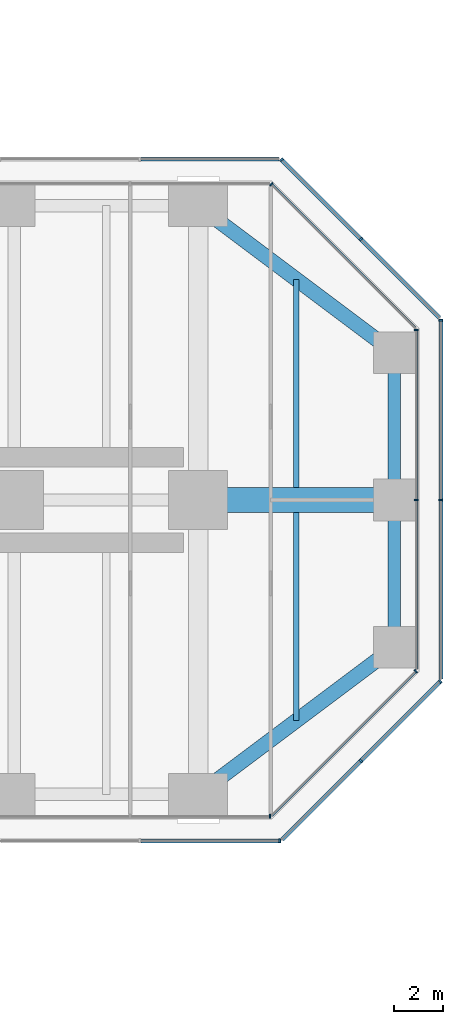
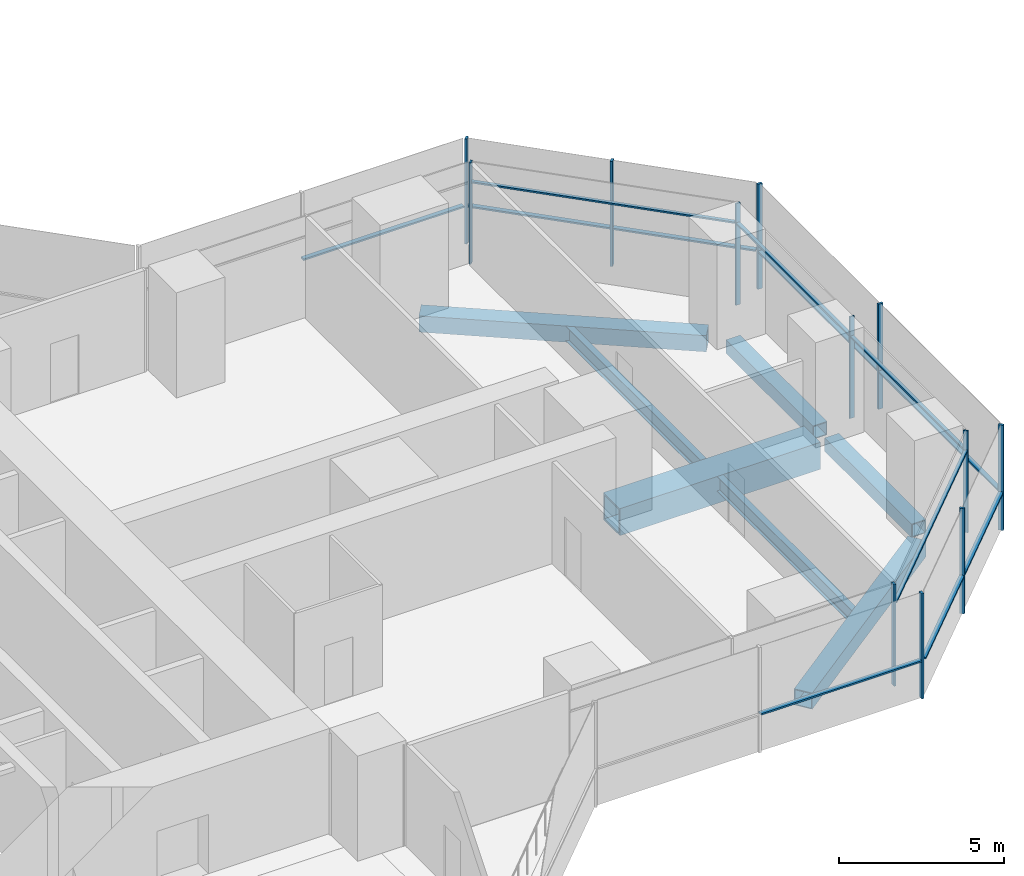
# One storey, part 12 of 22: 24 members, 7 beams, 9 elements without a shape of their own.
"""IFC4 building model written with IfcOpenShell, lengths in metres."""

from ifc_helpers import new_model, si_unit, direction, frame, origin, origin_2d, place, context, subcontext, project, spatial, rectangle, hollow_rectangle, i_section, extrude, material, material_profile, profile_set, type_object, element, aggregate, save


model = new_model("IFC4")

# Units and contexts
model_context = context("Model", 3, precision=1e-05, world=origin(), true_north=direction((0.0, 1.0)))
body_context = subcontext(model_context, "Body", "Model", "MODEL_VIEW")
ifc_project = project(units=[si_unit("LENGTHUNIT", "METRE"), si_unit("AREAUNIT", "SQUARE_METRE"), si_unit("VOLUMEUNIT", "CUBIC_METRE"), si_unit("PLANEANGLEUNIT", "RADIAN"), si_unit("MASSUNIT", "GRAM", prefix="KILO")], contexts=[model_context])

# Site, building, storey
site_placement = place(None, origin())
site = spatial("IfcSite", under=ifc_project, at=site_placement, CompositionType="ELEMENT")
building_placement = place(site_placement, origin())
building = spatial("IfcBuilding", under=site, at=building_placement, Name="Mizan Broadcast Tower", CompositionType="ELEMENT")
storey_placement = place(building_placement, frame((0.0, 0.0, 109.800048828125)))
storey = spatial("IfcBuildingStorey", under=building, at=storey_placement, Name="L24", CompositionType="ELEMENT", Elevation=109.800048828125)

# Beams
ifc_material_1 = material(Name="Steel S355", Category="steel")
ifc_material_profile_1 = material_profile(ifc_material_1, hollow_rectangle(XDim=0.5, YDim=0.5, WallThickness=0.030029296875, at=origin_2d()), Name="BOX 500x500x30")
ifc_profile_set_1 = profile_set([ifc_material_profile_1], Name="Steel S355")
beam_type_1 = type_object("IfcBeamType", Name="EDGE BEAM BOX 500x500x30", PredefinedType="SPANDREL", material=ifc_profile_set_1)
for number, where, z_axis, x_axis, name in (
    (1, (35.0, -5.639892578125, -0.380126953125), (0.0, 1.0, 0.0), (-1.0, 0.0, 0.0), "Edge beam BOX 500x500x30 L24 east arm"),
    (2, (35.0, 5.639892578125, -0.380126953125), (0.0, -1.0, 0.0), (1.0, 0.0, 0.0), "Edge beam BOX 500x500x30 L24 east arm"),
):
    element("IfcBeam", number, at=place(storey_placement, frame(where, z_axis=z_axis, x_axis=x_axis)), inside=storey, type_object=beam_type_1, Name=name, PredefinedType="SPANDREL", context=body_context, shape_type="SweptSolid", body=[
        extrude(hollow_rectangle(XDim=0.5, YDim=0.5, WallThickness=0.030029296875, at=origin_2d()), origin(), (0.0, 0.0, 1.0), 5.27978515625),
    ])
ifc_material_2 = material(Name="Steel S355", Category="steel")
ifc_material_profile_2 = material_profile(ifc_material_2, hollow_rectangle(XDim=0.60009765625, YDim=0.60009765625, WallThickness=0.030029296875, at=origin_2d()), Name="BOX 600x600x30")
ifc_profile_set_2 = profile_set([ifc_material_profile_2], Name="Steel S355")
beam_type_2 = type_object("IfcBeamType", Name="EDGE BEAM BOX 600x600x30", PredefinedType="SPANDREL", material=ifc_profile_set_2)
for number, where, z_axis, x_axis, name in (
    (3, (27.47998046875, -11.639892578125, -0.429931640625), (0.800013316712, 0.599982243973, 0.0), (-0.599982243973, 0.800013316712, 0.0), "Edge beam BOX 600x600x30 L24 east arm"),
    (4, (27.47998046875, 11.639892578125, -0.429931640625), (0.800013316712, -0.599982243973, 0.0), (0.599982243973, 0.800013316712, 0.0), "Edge beam BOX 600x600x30 L24 east arm"),
):
    element("IfcBeam", number, at=place(storey_placement, frame(where, z_axis=z_axis, x_axis=x_axis)), inside=storey, type_object=beam_type_2, Name=name, PredefinedType="SPANDREL", context=body_context, shape_type="SweptSolid", body=[
        extrude(hollow_rectangle(XDim=0.60009765625, YDim=0.60009765625, WallThickness=0.030029296875, at=origin_2d()), origin(), (0.0, 0.0, 1.0), 8.7998046875),
    ])
ifc_material_3 = material(Name="Steel S460", Category="steel")
ifc_material_profile_3 = material_profile(ifc_material_3, hollow_rectangle(XDim=1.0, YDim=1.0, WallThickness=0.06005859375, at=origin_2d()), Name="BOX 1000x1000x60")
ifc_profile_set_3 = profile_set([ifc_material_profile_3], Name="Steel S460")
beam_type_3 = type_object("IfcBeamType", Name="GIRDER BOX 1000x1000x60", PredefinedType="BEAM", material=ifc_profile_set_3)
beam_placement = place(storey_placement, frame((27.47998046875, 0.0, -0.630126953125), z_axis=(1.0, 0.0, 0.0), x_axis=(0.0, 1.0, 0.0)))
element("IfcBeam", 5, at=beam_placement, inside=storey, type_object=beam_type_3, Name="Girder BOX 1000x1000x60 L24 east arm", PredefinedType="BEAM", context=body_context, shape_type="SweptSolid", body=[
    extrude(hollow_rectangle(XDim=1.0, YDim=1.0, WallThickness=0.06005859375, at=origin_2d()), origin(), (0.0, 0.0, 1.0), 7.0400390625),
])

# Curtain wall, member
ifc_material_4 = material(Name="Aluminium framed glazing", Category="aluminium")
curtain_wall_type_1 = type_object("IfcCurtainWallType", Name="INNER SKIN LOW ZONE", PredefinedType="USERDEFINED", material=ifc_material_4)
curtain_wall_1_placement = place(storey_placement, origin())
curtain_wall_1 = element("IfcCurtainWall", 6, at=curtain_wall_1_placement, inside=storey, type_object=curtain_wall_type_1, Name="Inner skin low zone L24 E side", ObjectType="INNER SKIN LOW ZONE", PredefinedType="USERDEFINED")
ifc_material_5 = material(Name="Aluminium, pale anodised", Category="aluminium")
ifc_material_profile_4 = material_profile(ifc_material_5, rectangle(XDim=0.159912109375, YDim=0.06005859375, at=origin_2d()), Name="MULLION 160x60")
ifc_profile_set_4 = profile_set([ifc_material_profile_4], Name="Aluminium, pale anodised")
member_type_1 = type_object("IfcMemberType", Name="INNER SKIN MULLION 60x160", PredefinedType="MULLION", material=ifc_profile_set_4)
member_1_placement = place(storey_placement, frame((29.928466796875, -12.89990234375, 0.0), z_axis=(0.0, 0.0, 1.0), x_axis=(0.0, 1.0, 0.0)))
member_1 = element("IfcMember", 7, at=member_1_placement, type_object=member_type_1, Name="Inner skin low zone L24 E side mullion 3", PredefinedType="MULLION", context=body_context, shape_type="SweptSolid", body=[
    extrude(rectangle(XDim=0.159912109375, YDim=0.06005859375, at=origin_2d()), origin(), (0.0, 0.0, 1.0), 3.77001953125),
])
aggregate(curtain_wall_1, [member_1])

curtain_wall_2_placement = place(storey_placement, origin())
curtain_wall_2 = element("IfcCurtainWall", 8, at=curtain_wall_2_placement, inside=storey, type_object=curtain_wall_type_1, Name="Inner skin low zone L24 E chamfer", ObjectType="INNER SKIN LOW ZONE", PredefinedType="USERDEFINED")
member_2_placement = place(storey_placement, frame((35.87890625, -6.979736328125, 0.0), z_axis=(0.0, 0.0, 1.0), x_axis=(-0.707106781187, 0.707106781187, 0.0)))
member_2 = element("IfcMember", 9, at=member_2_placement, type_object=member_type_1, Name="Inner skin low zone L24 E chamfer mullion 2", PredefinedType="MULLION", context=body_context, shape_type="SweptSolid", body=[
    extrude(rectangle(XDim=0.159912109375, YDim=0.06005859375, at=origin_2d()), origin(), (0.0, 0.0, 1.0), 3.77001953125),
])

# Curtain wall, members
curtain_wall_3_placement = place(storey_placement, origin())
curtain_wall_3 = element("IfcCurtainWall", 10, at=curtain_wall_3_placement, inside=storey, type_object=curtain_wall_type_1, Name="Inner skin low zone L24 E end", ObjectType="INNER SKIN LOW ZONE", PredefinedType="USERDEFINED")
member_3_placement = place(storey_placement, frame((35.89990234375, 0.0, 0.0), z_axis=(0.0, 0.0, 1.0), x_axis=(-1.0, 0.0, 0.0)))
member_3 = element("IfcMember", 11, at=member_3_placement, type_object=member_type_1, Name="Inner skin low zone L24 E end mullion 2", PredefinedType="MULLION", context=body_context, shape_type="SweptSolid", body=[
    extrude(rectangle(XDim=0.159912109375, YDim=0.06005859375, at=origin_2d()), origin(), (0.0, 0.0, 1.0), 3.77001953125),
])
member_4_placement = place(storey_placement, frame((35.89990234375, 6.928466796875, 0.0), z_axis=(0.0, 0.0, 1.0), x_axis=(-1.0, 0.0, 0.0)))
member_4 = element("IfcMember", 12, at=member_4_placement, type_object=member_type_1, Name="Inner skin low zone L24 E end mullion 3", PredefinedType="MULLION", context=body_context, shape_type="SweptSolid", body=[
    extrude(rectangle(XDim=0.159912109375, YDim=0.06005859375, at=origin_2d()), origin(), (0.0, 0.0, 1.0), 3.77001953125),
])

# Curtain wall, member
curtain_wall_4_placement = place(storey_placement, origin())
curtain_wall_4 = element("IfcCurtainWall", 13, at=curtain_wall_4_placement, inside=storey, type_object=curtain_wall_type_1, Name="Inner skin low zone L24 E chamfer", ObjectType="INNER SKIN LOW ZONE", PredefinedType="USERDEFINED")
member_5_placement = place(storey_placement, frame((29.979736328125, 12.87890625, 0.0), z_axis=(0.0, 0.0, 1.0), x_axis=(-0.707106781187, -0.707106781187, 0.0)))
member_5 = element("IfcMember", 14, at=member_5_placement, type_object=member_type_1, Name="Inner skin low zone L24 E chamfer mullion 2", PredefinedType="MULLION", context=body_context, shape_type="SweptSolid", body=[
    extrude(rectangle(XDim=0.159912109375, YDim=0.06005859375, at=origin_2d()), origin(), (0.0, 0.0, 1.0), 3.77001953125),
])

# Member
ifc_material_6 = material(Name="Aluminium, pale anodised", Category="aluminium")
ifc_material_profile_5 = material_profile(ifc_material_6, rectangle(XDim=0.1201171875, YDim=0.06005859375, at=origin_2d()), Name="TRANSOM 120x60")
ifc_profile_set_5 = profile_set([ifc_material_profile_5], Name="Aluminium, pale anodised")
member_type_2 = type_object("IfcMemberType", Name="INNER SKIN TRANSOM 60x120", PredefinedType="USERDEFINED", material=ifc_profile_set_5)
member_6_placement = place(storey_placement, frame((30.0009765625, -12.857666015625, 3.030029296875), z_axis=(0.707106781187, 0.707106781187, 0.0), x_axis=(-0.707106781187, 0.707106781187, 0.0)))
member_6 = element("IfcMember", 15, at=member_6_placement, type_object=member_type_2, Name="Inner skin low zone L24 E chamfer transom 1.1", ObjectType="TRANSOM", PredefinedType="USERDEFINED", context=body_context, shape_type="SweptSolid", body=[
    extrude(rectangle(XDim=0.1201171875, YDim=0.06005859375, at=origin_2d()), origin(), (0.0, 0.0, 1.0), 8.28271484375),
])

aggregate(curtain_wall_2, [member_2, member_6])

member_7_placement = place(storey_placement, frame((35.89990234375, -6.898681640625, 3.030029296875), z_axis=(0.0, 1.0, 0.0), x_axis=(-1.0, 0.0, 0.0)))
member_7 = element("IfcMember", 16, at=member_7_placement, type_object=member_type_2, Name="Inner skin low zone L24 E end transom 1.1", ObjectType="TRANSOM", PredefinedType="USERDEFINED", context=body_context, shape_type="SweptSolid", body=[
    extrude(rectangle(XDim=0.1201171875, YDim=0.06005859375, at=origin_2d()), origin(), (0.0, 0.0, 1.0), 6.86865234375),
])

member_8_placement = place(storey_placement, frame((35.89990234375, 0.030029296875, 3.030029296875), z_axis=(0.0, 1.0, 0.0), x_axis=(-1.0, 0.0, 0.0)))
member_8 = element("IfcMember", 17, at=member_8_placement, type_object=member_type_2, Name="Inner skin low zone L24 E end transom 2.1", ObjectType="TRANSOM", PredefinedType="USERDEFINED", context=body_context, shape_type="SweptSolid", body=[
    extrude(rectangle(XDim=0.1201171875, YDim=0.06005859375, at=origin_2d()), origin(), (0.0, 0.0, 1.0), 6.86865234375),
])

aggregate(curtain_wall_3, [member_3, member_4, member_7, member_8])

member_9_placement = place(storey_placement, frame((35.857666015625, 7.0009765625, 3.030029296875), z_axis=(-0.707106781187, 0.707106781187, 0.0), x_axis=(-0.707106781187, -0.707106781187, 0.0)))
member_9 = element("IfcMember", 18, at=member_9_placement, type_object=member_type_2, Name="Inner skin low zone L24 E chamfer transom 1.1", ObjectType="TRANSOM", PredefinedType="USERDEFINED", context=body_context, shape_type="SweptSolid", body=[
    extrude(rectangle(XDim=0.1201171875, YDim=0.06005859375, at=origin_2d()), origin(), (0.0, 0.0, 1.0), 8.28271484375),
])

aggregate(curtain_wall_4, [member_5, member_9])

# Curtain wall, members
ifc_material_7 = material(Name="Aluminium framed glazing", Category="aluminium")
curtain_wall_type_2 = type_object("IfcCurtainWallType", Name="OUTER SKIN", PredefinedType="USERDEFINED", material=ifc_material_7)
curtain_wall_5_placement = place(storey_placement, origin())
curtain_wall_5 = element("IfcCurtainWall", 19, at=curtain_wall_5_placement, inside=storey, type_object=curtain_wall_type_2, Name="Outer skin L24 E chamfer", ObjectType="OUTER SKIN", PredefinedType="USERDEFINED")
ifc_material_8 = material(Name="Aluminium, pale anodised", Category="aluminium")
ifc_material_profile_6 = material_profile(ifc_material_8, rectangle(XDim=0.159912109375, YDim=0.080078125, at=origin_2d()), Name="MULLION 160x80")
ifc_profile_set_6 = profile_set([ifc_material_profile_6], Name="Aluminium, pale anodised")
member_type_3 = type_object("IfcMemberType", Name="OUTER SKIN MULLION 80x160", PredefinedType="MULLION", material=ifc_profile_set_6)
member_10_placement = place(storey_placement, frame((33.636474609375, -10.636474609375, 0.0), z_axis=(0.0, 0.0, 1.0), x_axis=(-0.707106781187, 0.707106781187, 0.0)))
member_10 = element("IfcMember", 20, at=member_10_placement, type_object=member_type_3, Name="Outer skin L24 E chamfer mullion 2", PredefinedType="MULLION", context=body_context, shape_type="SweptSolid", body=[
    extrude(rectangle(XDim=0.159912109375, YDim=0.080078125, at=origin_2d()), origin(), (0.0, 0.0, 1.0), 3.89990234375),
])
member_11_placement = place(storey_placement, frame((36.871826171875, -7.401123046875, 0.0), z_axis=(0.0, 0.0, 1.0), x_axis=(-0.707106781187, 0.707106781187, 0.0)))
member_11 = element("IfcMember", 21, at=member_11_placement, type_object=member_type_3, Name="Outer skin L24 E chamfer mullion 3", PredefinedType="MULLION", context=body_context, shape_type="SweptSolid", body=[
    extrude(rectangle(XDim=0.159912109375, YDim=0.080078125, at=origin_2d()), origin(), (0.0, 0.0, 1.0), 3.89990234375),
])

curtain_wall_6_placement = place(storey_placement, origin())
curtain_wall_6 = element("IfcCurtainWall", 22, at=curtain_wall_6_placement, inside=storey, type_object=curtain_wall_type_2, Name="Outer skin L24 E end", ObjectType="OUTER SKIN", PredefinedType="USERDEFINED")
member_12_placement = place(storey_placement, frame((36.89990234375, 0.0, 0.0), z_axis=(0.0, 0.0, 1.0), x_axis=(-1.0, 0.0, 0.0)))
member_12 = element("IfcMember", 23, at=member_12_placement, type_object=member_type_3, Name="Outer skin L24 E end mullion 2", PredefinedType="MULLION", context=body_context, shape_type="SweptSolid", body=[
    extrude(rectangle(XDim=0.159912109375, YDim=0.080078125, at=origin_2d()), origin(), (0.0, 0.0, 1.0), 3.89990234375),
])
member_13_placement = place(storey_placement, frame((36.89990234375, 7.332763671875, 0.0), z_axis=(0.0, 0.0, 1.0), x_axis=(-1.0, 0.0, 0.0)))
member_13 = element("IfcMember", 24, at=member_13_placement, type_object=member_type_3, Name="Outer skin L24 E end mullion 3", PredefinedType="MULLION", context=body_context, shape_type="SweptSolid", body=[
    extrude(rectangle(XDim=0.159912109375, YDim=0.080078125, at=origin_2d()), origin(), (0.0, 0.0, 1.0), 3.89990234375),
])

curtain_wall_7_placement = place(storey_placement, origin())
curtain_wall_7 = element("IfcCurtainWall", 25, at=curtain_wall_7_placement, inside=storey, type_object=curtain_wall_type_2, Name="Outer skin L24 E chamfer", ObjectType="OUTER SKIN", PredefinedType="USERDEFINED")
member_14_placement = place(storey_placement, frame((33.636474609375, 10.636474609375, 0.0), z_axis=(0.0, 0.0, 1.0), x_axis=(-0.707106781187, -0.707106781187, 0.0)))
member_14 = element("IfcMember", 26, at=member_14_placement, type_object=member_type_3, Name="Outer skin L24 E chamfer mullion 2", PredefinedType="MULLION", context=body_context, shape_type="SweptSolid", body=[
    extrude(rectangle(XDim=0.159912109375, YDim=0.080078125, at=origin_2d()), origin(), (0.0, 0.0, 1.0), 3.89990234375),
])
member_15_placement = place(storey_placement, frame((30.401123046875, 13.871826171875, 0.0), z_axis=(0.0, 0.0, 1.0), x_axis=(-0.707106781187, -0.707106781187, 0.0)))
member_15 = element("IfcMember", 27, at=member_15_placement, type_object=member_type_3, Name="Outer skin L24 E chamfer mullion 3", PredefinedType="MULLION", context=body_context, shape_type="SweptSolid", body=[
    extrude(rectangle(XDim=0.159912109375, YDim=0.080078125, at=origin_2d()), origin(), (0.0, 0.0, 1.0), 3.89990234375),
])

# Curtain wall, member
curtain_wall_8_placement = place(storey_placement, origin())
curtain_wall_8 = element("IfcCurtainWall", 28, at=curtain_wall_8_placement, inside=storey, type_object=curtain_wall_type_2, Name="Outer skin L24 E side", ObjectType="OUTER SKIN", PredefinedType="USERDEFINED")
member_16_placement = place(storey_placement, frame((30.332763671875, -13.89990234375, 0.0), z_axis=(0.0, 0.0, 1.0), x_axis=(0.0, 1.0, 0.0)))
member_16 = element("IfcMember", 29, at=member_16_placement, type_object=member_type_3, Name="Outer skin L24 E side mullion 3", PredefinedType="MULLION", context=body_context, shape_type="SweptSolid", body=[
    extrude(rectangle(XDim=0.159912109375, YDim=0.080078125, at=origin_2d()), origin(), (0.0, 0.0, 1.0), 3.89990234375),
])

# Member
ifc_material_9 = material(Name="Aluminium, pale anodised", Category="aluminium")
ifc_material_profile_7 = material_profile(ifc_material_9, rectangle(XDim=0.159912109375, YDim=0.06005859375, at=origin_2d()), Name="TRANSOM 160x60")
ifc_profile_set_7 = profile_set([ifc_material_profile_7], Name="Aluminium, pale anodised")
member_type_4 = type_object("IfcMemberType", Name="OUTER SKIN TRANSOM 60x160", PredefinedType="USERDEFINED", material=ifc_profile_set_7)
member_17_placement = place(storey_placement, frame((30.429443359375, -13.843505859375, 1.39990234375), z_axis=(0.707106781187, 0.707106781187, 0.0), x_axis=(-0.707106781187, 0.707106781187, 0.0)))
member_17 = element("IfcMember", 30, at=member_17_placement, type_object=member_type_4, Name="Outer skin L24 E chamfer transom 1.1", ObjectType="TRANSOM", PredefinedType="USERDEFINED", context=body_context, shape_type="SweptSolid", body=[
    extrude(rectangle(XDim=0.159912109375, YDim=0.06005859375, at=origin_2d()), origin(), (0.0, 0.0, 1.0), 4.495361328125),
])

member_18_placement = place(storey_placement, frame((33.664794921875, -10.608154296875, 1.39990234375), z_axis=(0.707106781187, 0.707106781187, 0.0), x_axis=(-0.707106781187, 0.707106781187, 0.0)))
member_18 = element("IfcMember", 31, at=member_18_placement, type_object=member_type_4, Name="Outer skin L24 E chamfer transom 2.1", ObjectType="TRANSOM", PredefinedType="USERDEFINED", context=body_context, shape_type="SweptSolid", body=[
    extrude(rectangle(XDim=0.159912109375, YDim=0.06005859375, at=origin_2d()), origin(), (0.0, 0.0, 1.0), 4.495361328125),
])

aggregate(curtain_wall_5, [member_10, member_11, member_17, member_18])

member_19_placement = place(storey_placement, frame((36.89990234375, -7.292724609375, 1.39990234375), z_axis=(0.0, 1.0, 0.0), x_axis=(-1.0, 0.0, 0.0)))
member_19 = element("IfcMember", 32, at=member_19_placement, type_object=member_type_4, Name="Outer skin L24 E end transom 1.1", ObjectType="TRANSOM", PredefinedType="USERDEFINED", context=body_context, shape_type="SweptSolid", body=[
    extrude(rectangle(XDim=0.159912109375, YDim=0.06005859375, at=origin_2d()), origin(), (0.0, 0.0, 1.0), 7.252685546875),
])

member_20_placement = place(storey_placement, frame((36.89990234375, 0.0400390625, 1.39990234375), z_axis=(0.0, 1.0, 0.0), x_axis=(-1.0, 0.0, 0.0)))
member_20 = element("IfcMember", 33, at=member_20_placement, type_object=member_type_4, Name="Outer skin L24 E end transom 2.1", ObjectType="TRANSOM", PredefinedType="USERDEFINED", context=body_context, shape_type="SweptSolid", body=[
    extrude(rectangle(XDim=0.159912109375, YDim=0.06005859375, at=origin_2d()), origin(), (0.0, 0.0, 1.0), 7.252685546875),
])

aggregate(curtain_wall_6, [member_12, member_13, member_19, member_20])

member_21_placement = place(storey_placement, frame((36.843505859375, 7.429443359375, 1.39990234375), z_axis=(-0.707106781187, 0.707106781187, 0.0), x_axis=(-0.707106781187, -0.707106781187, 0.0)))
member_21 = element("IfcMember", 34, at=member_21_placement, type_object=member_type_4, Name="Outer skin L24 E chamfer transom 1.1", ObjectType="TRANSOM", PredefinedType="USERDEFINED", context=body_context, shape_type="SweptSolid", body=[
    extrude(rectangle(XDim=0.159912109375, YDim=0.06005859375, at=origin_2d()), origin(), (0.0, 0.0, 1.0), 4.495361328125),
])

member_22_placement = place(storey_placement, frame((33.608154296875, 10.664794921875, 1.39990234375), z_axis=(-0.707106781187, 0.707106781187, 0.0), x_axis=(-0.707106781187, -0.707106781187, 0.0)))
member_22 = element("IfcMember", 35, at=member_22_placement, type_object=member_type_4, Name="Outer skin L24 E chamfer transom 2.1", ObjectType="TRANSOM", PredefinedType="USERDEFINED", context=body_context, shape_type="SweptSolid", body=[
    extrude(rectangle(XDim=0.159912109375, YDim=0.06005859375, at=origin_2d()), origin(), (0.0, 0.0, 1.0), 4.495361328125),
])

aggregate(curtain_wall_7, [member_14, member_15, member_21, member_22])

# Curtain wall, member
curtain_wall_9_placement = place(storey_placement, origin())
curtain_wall_9 = element("IfcCurtainWall", 36, at=curtain_wall_9_placement, inside=storey, type_object=curtain_wall_type_2, Name="Outer skin L24 E side", ObjectType="OUTER SKIN", PredefinedType="USERDEFINED")
member_23_placement = place(storey_placement, frame((30.292724609375, 13.89990234375, 1.39990234375), z_axis=(-1.0, 0.0, 0.0), x_axis=(0.0, -1.0, 0.0)))
member_23 = element("IfcMember", 37, at=member_23_placement, type_object=member_type_4, Name="Outer skin L24 E side transom 1.1", ObjectType="TRANSOM", PredefinedType="USERDEFINED", context=body_context, shape_type="SweptSolid", body=[
    extrude(rectangle(XDim=0.159912109375, YDim=0.06005859375, at=origin_2d()), origin(), (0.0, 0.0, 1.0), 5.6298828125),
])
aggregate(curtain_wall_9, [member_23])

# Member
member_24_placement = place(storey_placement, frame((24.662841796875, -13.89990234375, 1.39990234375), z_axis=(1.0, 0.0, 0.0), x_axis=(0.0, 1.0, 0.0)))
member_24 = element("IfcMember", 38, at=member_24_placement, type_object=member_type_4, Name="Outer skin L24 E side transom 2.1", ObjectType="TRANSOM", PredefinedType="USERDEFINED", context=body_context, shape_type="SweptSolid", body=[
    extrude(rectangle(XDim=0.159912109375, YDim=0.06005859375, at=origin_2d()), origin(), (0.0, 0.0, 1.0), 5.6298828125),
])

aggregate(curtain_wall_8, [member_16, member_24])

# Beams
ifc_material_10 = material(Name="Steel S355", Category="steel")
ifc_material_profile_8 = material_profile(ifc_material_10, i_section(OverallWidth=0.2099609375, OverallDepth=0.550048828125, WebThickness=0.010986328125, FlangeThickness=0.01708984375, FilletRadius=0.02392578125, at=origin_2d()), Name="IPE 550")
ifc_profile_set_8 = profile_set([ifc_material_profile_8], Name="Steel S355")
beam_type_4 = type_object("IfcBeamType", Name="SECONDARY BEAM IPE 550", PredefinedType="JOIST", material=ifc_profile_set_8)
for number, where, z_axis, x_axis, name in (
    (39, (31.0, -9.0, -0.405029296875), (0.0, 1.0, 0.0), (-1.0, 0.0, 0.0), "Secondary beam IPE 550 L24 east arm"),
    (40, (31.0, 9.0, -0.405029296875), (0.0, -1.0, 0.0), (1.0, 0.0, 0.0), "Secondary beam IPE 550 L24 east arm"),
):
    element("IfcBeam", number, at=place(storey_placement, frame(where, z_axis=z_axis, x_axis=x_axis)), inside=storey, type_object=beam_type_4, Name=name, PredefinedType="JOIST", context=body_context, shape_type="SweptSolid", body=[
        extrude(i_section(OverallWidth=0.2099609375, OverallDepth=0.550048828125, WebThickness=0.010986328125, FlangeThickness=0.01708984375, FilletRadius=0.02392578125, at=origin_2d()), origin(), (0.0, 0.0, 1.0), 8.5),
    ])

save(model, "model.ifc")
